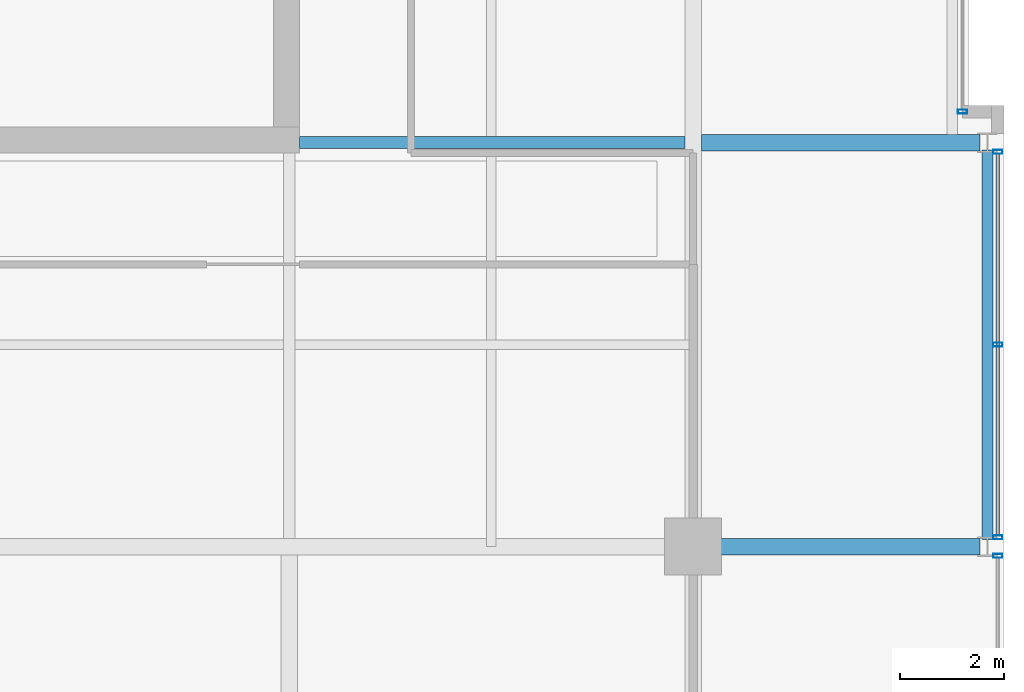
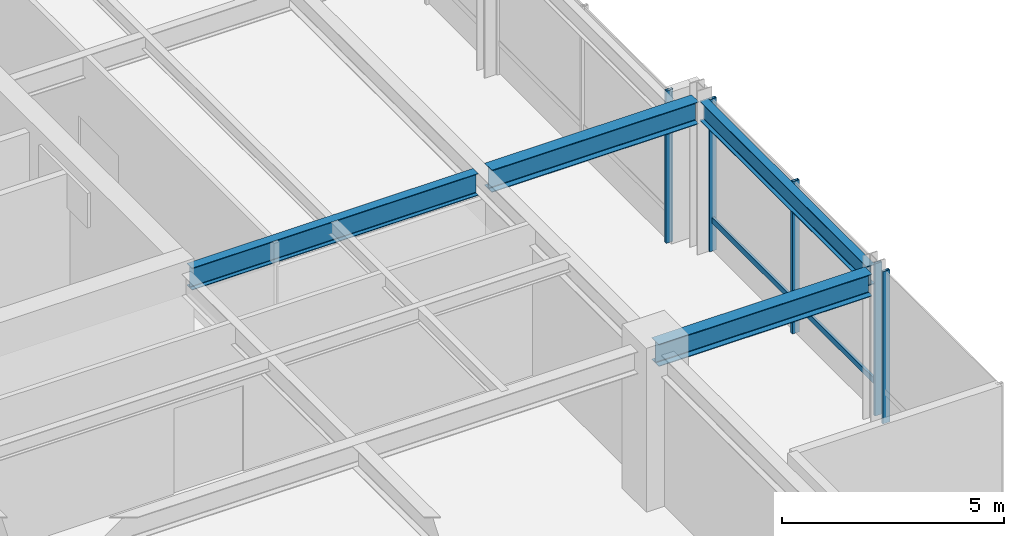
# One storey, part 14 of 32: 6 members, 4 beams, 3 elements without a shape of their own.
"""IFC4 building model written with IfcOpenShell, lengths in metres."""

from ifc_helpers import new_model, si_unit, direction, frame, origin, origin_2d, place, context, subcontext, project, spatial, hollow_rectangle, i_section, extrude, material, layer, layer_set, material_profile, profile_set, type_object, element, aggregate, save


model = new_model("IFC4")

# Units and contexts
model_context = context("Model", 3, precision=1e-05, world=origin(), true_north=direction((0.0, 1.0)))
body_context = subcontext(model_context, "Body", "Model", "MODEL_VIEW")
ifc_project = project(units=[si_unit("LENGTHUNIT", "METRE"), si_unit("AREAUNIT", "SQUARE_METRE"), si_unit("VOLUMEUNIT", "CUBIC_METRE"), si_unit("PLANEANGLEUNIT", "RADIAN"), si_unit("MASSUNIT", "GRAM", prefix="KILO")], contexts=[model_context])

# Site, building, storey
site_placement = place(None, origin())
site = spatial("IfcSite", under=ifc_project, at=site_placement, CompositionType="ELEMENT")
building_placement = place(site_placement, origin())
building = spatial("IfcBuilding", under=site, at=building_placement, Name="Drelvath Grand Hotel", CompositionType="ELEMENT")
storey_placement = place(building_placement, frame((0.0, 0.0, 255.5)))
storey = spatial("IfcBuildingStorey", under=building, at=storey_placement, Name="L67", CompositionType="ELEMENT", Elevation=255.5)

# Curtain wall, member
ifc_material_1 = material(Name="Platinum-Mist Anodised Aluminium Frame", Category="aluminium")
ifc_layer = layer(ifc_material_1, 0.199951171875)
ifc_layer_set = layer_set([ifc_layer], Name="Platinum-Mist Anodised Aluminium Frame")
curtain_wall_type = type_object("IfcCurtainWallType", Name="Stick Curtain Wall CW-05 Platinum Mist High-Rise", PredefinedType="NOTDEFINED", material=ifc_layer_set)
curtain_wall_1_placement = place(storey_placement, origin())
curtain_wall_1 = element("IfcCurtainWall", 1, at=curtain_wall_1_placement, inside=storey, type_object=curtain_wall_type, Name="L67 CW-05 Curtain Wall CW05-L67-ES2", PredefinedType="NOTDEFINED")
ifc_material_profile_1 = material_profile(ifc_material_1, hollow_rectangle(XDim=0.06494140625, YDim=0.159912109375, WallThickness=0.00390625, at=origin_2d()), Name="HSS160X65X4")
ifc_profile_set_1 = profile_set([ifc_material_profile_1], Name="Platinum-Mist Anodised Aluminium Frame")
member_type_1 = type_object("IfcMemberType", Name="Curtain Wall Horizontal Transom CW-05 HSS160X65X4", PredefinedType="USERDEFINED", material=ifc_profile_set_1)
member_1_placement = place(storey_placement, frame((22.080078125, 18.3818359375, 0.85009765625), z_axis=(0.0, -1.0, 0.0), x_axis=(1.0, 0.0, 0.0)))
member_1 = element("IfcMember", 2, at=member_1_placement, type_object=member_type_1, Name="CW05-L67-ES2 Sill Transom", ObjectType="TRANSOM", PredefinedType="USERDEFINED", context=body_context, shape_type="SweptSolid", body=[
    extrude(hollow_rectangle(XDim=0.06494140625, YDim=0.159912109375, WallThickness=0.00390625, at=origin_2d()), origin(), (0.0, 0.0, 1.0), 7.363525390625),
])

curtain_wall_2_placement = place(storey_placement, origin())
curtain_wall_2 = element("IfcCurtainWall", 3, at=curtain_wall_2_placement, inside=storey, type_object=curtain_wall_type, Name="L67 CW-05 Curtain Wall CW05-L67-EM1", PredefinedType="NOTDEFINED")
ifc_material_profile_2 = material_profile(ifc_material_1, hollow_rectangle(XDim=0.074951171875, YDim=0.179931640625, WallThickness=0.0048828125, at=origin_2d()), Name="HSS180X75X5")
ifc_profile_set_2 = profile_set([ifc_material_profile_2], Name="Platinum-Mist Anodised Aluminium Frame")
member_type_2 = type_object("IfcMemberType", Name="Curtain Wall Vertical Mullion CW-05 HSS180X75X5", PredefinedType="MULLION", material=ifc_profile_set_2)
member_2_placement = place(storey_placement, frame((21.39990234375, 19.199951171875, 0.0), z_axis=(0.0, 0.0, 1.0), x_axis=(0.0, 1.0, 0.0)))
member_2 = element("IfcMember", 4, at=member_2_placement, type_object=member_type_2, Name="CW05-L67-EM1 Mullion 3", PredefinedType="MULLION", context=body_context, shape_type="SweptSolid", body=[
    extrude(hollow_rectangle(XDim=0.074951171875, YDim=0.179931640625, WallThickness=0.0048828125, at=origin_2d()), origin(), (0.0, 0.0, 1.0), 4.179931640625),
])
aggregate(curtain_wall_2, [member_2])

curtain_wall_3_placement = place(storey_placement, origin())
curtain_wall_3 = element("IfcCurtainWall", 5, at=curtain_wall_3_placement, inside=storey, type_object=curtain_wall_type, Name="L67 CW-05 Curtain Wall CW05-L67-ES1", PredefinedType="NOTDEFINED")
member_3_placement = place(storey_placement, frame((22.080078125, 10.621826171875, 0.0), z_axis=(0.0, 0.0, 1.0), x_axis=(0.0, 1.0, 0.0)))
member_3 = element("IfcMember", 6, at=member_3_placement, type_object=member_type_2, Name="CW05-L67-ES1 Mullion 1", PredefinedType="MULLION", context=body_context, shape_type="SweptSolid", body=[
    extrude(hollow_rectangle(XDim=0.074951171875, YDim=0.179931640625, WallThickness=0.0048828125, at=origin_2d()), origin(), (0.0, 0.0, 1.0), 4.179931640625),
])
aggregate(curtain_wall_3, [member_3])

# Member
member_4_placement = place(storey_placement, frame((22.080078125, 18.421875, 0.0), z_axis=(0.0, 0.0, 1.0), x_axis=(0.0, 1.0, 0.0)))
member_4 = element("IfcMember", 7, at=member_4_placement, type_object=member_type_2, Name="CW05-L67-ES2 Mullion 1", PredefinedType="MULLION", context=body_context, shape_type="SweptSolid", body=[
    extrude(hollow_rectangle(XDim=0.074951171875, YDim=0.179931640625, WallThickness=0.0048828125, at=origin_2d()), origin(), (0.0, 0.0, 1.0), 4.179931640625),
])

member_5_placement = place(storey_placement, frame((22.080078125, 14.699951171875, 0.0), z_axis=(0.0, 0.0, 1.0), x_axis=(0.0, 1.0, 0.0)))
member_5 = element("IfcMember", 8, at=member_5_placement, type_object=member_type_2, Name="CW05-L67-ES2 Mullion 2", PredefinedType="MULLION", context=body_context, shape_type="SweptSolid", body=[
    extrude(hollow_rectangle(XDim=0.074951171875, YDim=0.179931640625, WallThickness=0.0048828125, at=origin_2d()), origin(), (0.0, 0.0, 1.0), 4.179931640625),
])

member_6_placement = place(storey_placement, frame((22.080078125, 10.978271484375, 0.0), z_axis=(0.0, 0.0, 1.0), x_axis=(0.0, 1.0, 0.0)))
member_6 = element("IfcMember", 9, at=member_6_placement, type_object=member_type_2, Name="CW05-L67-ES2 Mullion 3", PredefinedType="MULLION", context=body_context, shape_type="SweptSolid", body=[
    extrude(hollow_rectangle(XDim=0.074951171875, YDim=0.179931640625, WallThickness=0.0048828125, at=origin_2d()), origin(), (0.0, 0.0, 1.0), 4.179931640625),
])

aggregate(curtain_wall_1, [member_4, member_5, member_6, member_1])

# Beams
ifc_material_2 = material(Name="Steel ASTM A992 Gr 50", Category="steel")
ifc_material_profile_3 = material_profile(ifc_material_2, i_section(OverallWidth=0.210205078125, OverallDepth=0.53662109375, WebThickness=0.010986328125, FlangeThickness=0.017333984375, FilletRadius=0.01806640625, at=origin_2d()), Name="W21X68")
ifc_profile_set_3 = profile_set([ifc_material_profile_3], Name="Steel ASTM A992 Gr 50")
beam_type_1 = type_object("IfcBeamType", Name="Perimeter Spandrel Beam W21X68", PredefinedType="SPANDREL", material=ifc_profile_set_3)
beam_1_placement = place(storey_placement, frame((21.8798828125, 10.93994140625, 3.91162109375), z_axis=(0.0, 1.0, 0.0), x_axis=(-1.0, 0.0, 0.0)))
element("IfcBeam", 10, at=beam_1_placement, inside=storey, type_object=beam_type_1, Name="L67 Spandrel East S", PredefinedType="SPANDREL", context=body_context, shape_type="SweptSolid", body=[
    extrude(i_section(OverallWidth=0.210205078125, OverallDepth=0.53662109375, WebThickness=0.010986328125, FlangeThickness=0.017333984375, FilletRadius=0.01806640625, at=origin_2d()), origin(), (0.0, 0.0, 1.0), 7.52001953125),
])
ifc_material_profile_4 = material_profile(ifc_material_2, i_section(OverallWidth=0.323974609375, OverallDepth=0.611083984375, WebThickness=0.0126953125, FlangeThickness=0.01904296875, FilletRadius=0.02197265625, at=origin_2d()), Name="W24X104")
ifc_profile_set_4 = profile_set([ifc_material_profile_4], Name="Steel ASTM A992 Gr 50")
beam_type_2 = type_object("IfcBeamType", Name="Primary Floor Girder W24X104", PredefinedType="BEAM", material=ifc_profile_set_4)
beam_2_placement = place(storey_placement, frame((16.199951171875, 10.800048828125, 3.87451171875), z_axis=(1.0, 0.0, 0.0), x_axis=(0.0, 1.0, 0.0)))
element("IfcBeam", 11, at=beam_2_placement, inside=storey, type_object=beam_type_2, Name="L67 East Grid Girder C", PredefinedType="BEAM", context=body_context, shape_type="SweptSolid", body=[
    extrude(i_section(OverallWidth=0.323974609375, OverallDepth=0.611083984375, WebThickness=0.0126953125, FlangeThickness=0.01904296875, FilletRadius=0.02197265625, at=origin_2d()), origin(), (0.0, 0.0, 1.0), 5.5400390625),
])
beam_3_placement = place(storey_placement, frame((16.362060546875, 18.60009765625, 3.87451171875), z_axis=(1.0, 0.0, 0.0), x_axis=(0.0, 1.0, 0.0)))
element("IfcBeam", 12, at=beam_3_placement, inside=storey, type_object=beam_type_2, Name="L67 East Wing Girder D", PredefinedType="BEAM", context=body_context, shape_type="SweptSolid", body=[
    extrude(i_section(OverallWidth=0.323974609375, OverallDepth=0.611083984375, WebThickness=0.0126953125, FlangeThickness=0.01904296875, FilletRadius=0.02197265625, at=origin_2d()), origin(), (0.0, 0.0, 1.0), 5.3779296875),
])
ifc_material_profile_5 = material_profile(ifc_material_2, i_section(OverallWidth=0.228271484375, OverallDepth=0.607666015625, WebThickness=0.01123046875, FlangeThickness=0.017333984375, FilletRadius=0.02001953125, at=origin_2d()), Name="W24X76")
ifc_profile_set_5 = profile_set([ifc_material_profile_5], Name="Steel ASTM A992 Gr 50")
beam_type_3 = type_object("IfcBeamType", Name="Primary Floor Girder W24X76", PredefinedType="BEAM", material=ifc_profile_set_5)
beam_4_placement = place(storey_placement, frame((8.60009765625, 18.60009765625, 3.876220703125), z_axis=(1.0, 0.0, 0.0), x_axis=(0.0, 1.0, 0.0)))
element("IfcBeam", 13, at=beam_4_placement, inside=storey, type_object=beam_type_3, Name="L67 East Core Tie D", PredefinedType="BEAM", context=body_context, shape_type="SweptSolid", body=[
    extrude(i_section(OverallWidth=0.228271484375, OverallDepth=0.607666015625, WebThickness=0.01123046875, FlangeThickness=0.017333984375, FilletRadius=0.02001953125, at=origin_2d()), origin(), (0.0, 0.0, 1.0), 7.43798828125),
])

save(model, "model.ifc")
